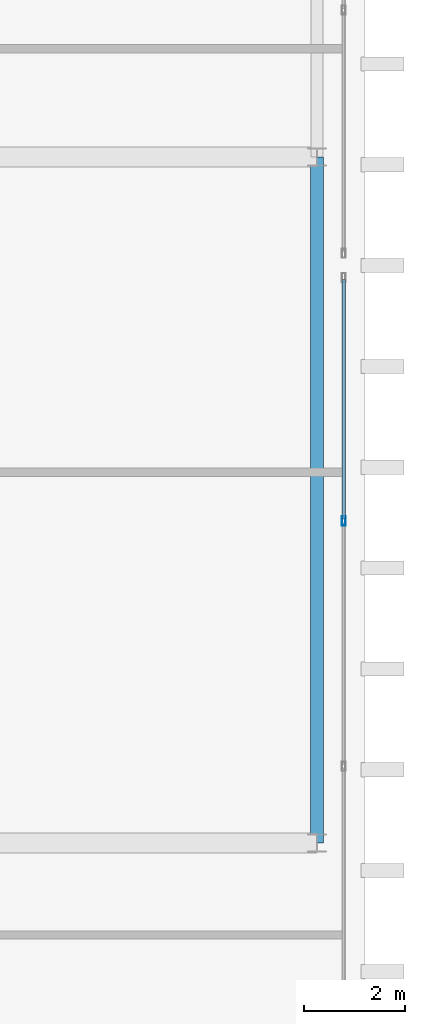
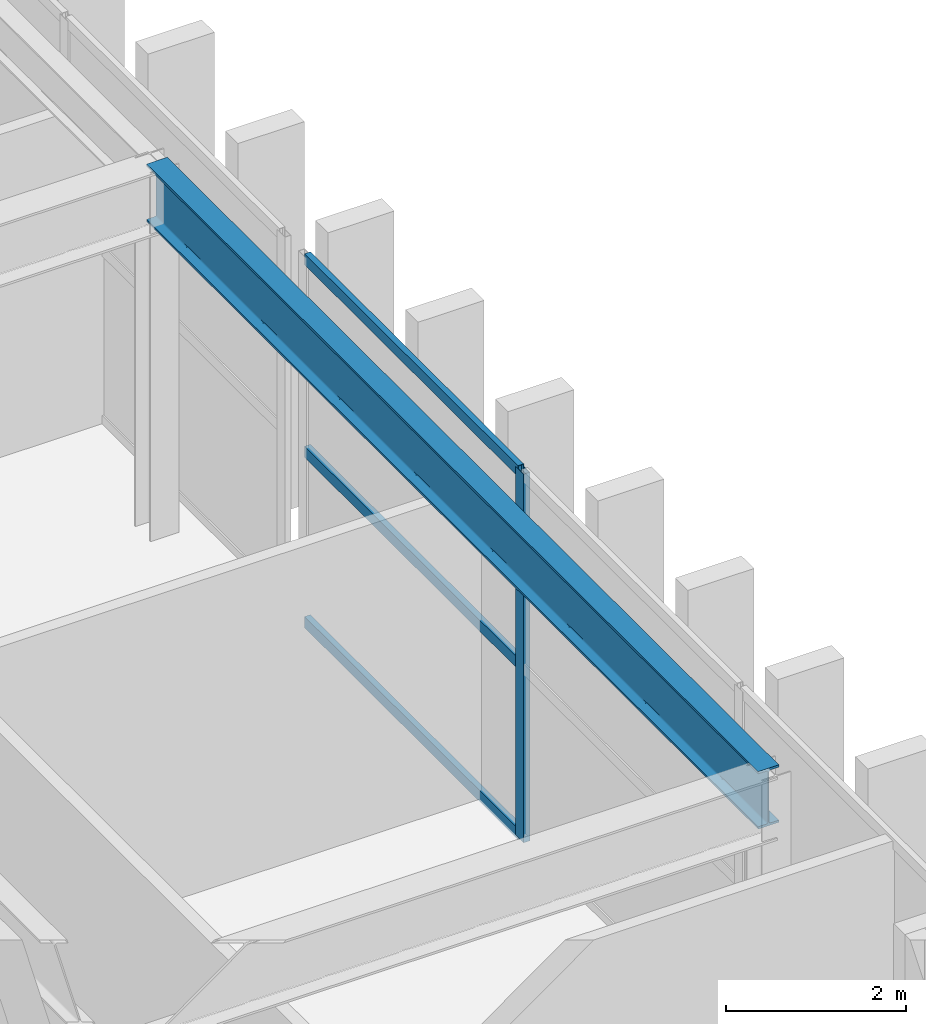
# One storey, part 5 of 14: 4 members, 1 beam, 1 element without a shape of its own.
"""IFC4 building model written with IfcOpenShell, lengths in metres."""

from ifc_helpers import new_model, si_unit, direction, frame, origin, origin_2d, place, context, subcontext, project, spatial, hollow_rectangle, i_section, extrude, source, transform, mapped, material, layer, layer_set, material_profile, profile_set, type_object, element, aggregate, save


model = new_model("IFC4")

# Units and contexts
model_context = context("Model", 3, precision=1e-05, world=origin(), true_north=direction((0.0, 1.0)))
body_context = subcontext(model_context, "Body", "Model", "MODEL_VIEW")
ifc_project = project(units=[si_unit("LENGTHUNIT", "METRE"), si_unit("AREAUNIT", "SQUARE_METRE"), si_unit("VOLUMEUNIT", "CUBIC_METRE"), si_unit("PLANEANGLEUNIT", "RADIAN"), si_unit("MASSUNIT", "GRAM", prefix="KILO")], contexts=[model_context])

# Site, building, storey
site_placement = place(None, origin())
site = spatial("IfcSite", under=ifc_project, at=site_placement, CompositionType="ELEMENT")
building_placement = place(site_placement, origin())
building = spatial("IfcBuilding", under=site, at=building_placement, Name="Ocotamira Hotel", CompositionType="ELEMENT")
storey_placement = place(building_placement, frame((0.0, 0.0, 309.60009765625)))
storey = spatial("IfcBuildingStorey", under=building, at=storey_placement, Name="L79", CompositionType="ELEMENT", Elevation=309.60009765625)

# Beam
ifc_material_1 = material(Name="Steel ASTM A992 Grade 50", Category="steel")
ifc_material_profile_1 = material_profile(ifc_material_1, i_section(OverallWidth=0.26611328125, OverallDepth=0.779052734375, WebThickness=0.0166015625, FlangeThickness=0.030029296875, FilletRadius=0.01806640625, at=origin_2d()), Name="W30X148")
ifc_profile_set_1 = profile_set([ifc_material_profile_1], Name="Steel ASTM A992 Grade 50")
beam_type = type_object("IfcBeamType", Name="BM-GIRD-W30X148", PredefinedType="BEAM", material=ifc_profile_set_1)
shared_shape_1 = source(origin(), body_context, "Body", "SweptSolid", [
    extrude(i_section(OverallWidth=0.26611328125, OverallDepth=0.779052734375, WebThickness=0.0166015625, FlangeThickness=0.030029296875, FilletRadius=0.01806640625, at=origin_2d()), origin(), (0.0, 0.0, 1.0), 13.599853515625),
])
beam_placement = place(storey_placement, frame((32.050048828125, 14.550048828125, 4.6103515625), z_axis=(0.0, 1.0, 0.0), x_axis=(-1.0, 0.0, 0.0)))
element("IfcBeam", 1, at=beam_placement, inside=storey, type_object=beam_type, Name="L79 Beam X32.05 Y14.55-28.15", PredefinedType="BEAM", context=body_context, shape_type="MappedRepresentation", body=[
    mapped(shared_shape_1, transform((0.0, 0.0, 0.0), scale=1.0)),
])

# Curtain wall, members
ifc_material_2 = material(Name="Anodised pale-metal aluminium and solar glass", Category="aluminium")
ifc_layer = layer(ifc_material_2, 0.2099609375)
ifc_layer_set = layer_set([ifc_layer], Name="Anodised pale-metal aluminium and solar glass")
curtain_wall_type = type_object("IfcCurtainWallType", Name="CW-SYS7-PEAK", PredefinedType="NOTDEFINED", material=ifc_layer_set)
curtain_wall_placement = place(storey_placement, origin())
curtain_wall = element("IfcCurtainWall", 2, at=curtain_wall_placement, inside=storey, type_object=curtain_wall_type, Name="L79 Curtain Wall CW-7 CW-L79-E1", PredefinedType="NOTDEFINED")
ifc_material_3 = material(Name="Anodised pale-metal aluminium 6063-T6", Category="aluminium")
ifc_material_profile_2 = material_profile(ifc_material_3, hollow_rectangle(XDim=0.074951171875, YDim=0.14990234375, WallThickness=0.006103515625, at=origin_2d()), Name="HSS150X75X6")
ifc_profile_set_2 = profile_set([ifc_material_profile_2], Name="Anodised pale-metal aluminium 6063-T6")
member_type_1 = type_object("IfcMemberType", Name="CWT-150X75", PredefinedType="USERDEFINED", material=ifc_profile_set_2)
shared_shape_2 = source(origin(), body_context, "Body", "SweptSolid", [
    extrude(hollow_rectangle(XDim=0.074951171875, YDim=0.14990234375, WallThickness=0.006103515625, at=origin_2d()), origin(), (0.0, 0.0, 1.0), 4.74658203125),
])
member_1_placement = place(storey_placement, frame((32.580078125, 20.973388671875, 0.037353515625), z_axis=(0.0, 1.0, 0.0), x_axis=(-1.0, 0.0, 0.0)))
member_1 = element("IfcMember", 3, at=member_1_placement, type_object=member_type_1, Name="CW-7 transom 3.1", ObjectType="TRANSOM", PredefinedType="USERDEFINED", context=body_context, shape_type="MappedRepresentation", body=[
    mapped(shared_shape_2, transform((0.0, 0.0, 0.0), scale=1.0)),
])
member_2_placement = place(storey_placement, frame((32.580078125, 20.973388671875, 2.349853515625), z_axis=(0.0, 1.0, 0.0), x_axis=(-1.0, 0.0, 0.0)))
member_2 = element("IfcMember", 4, at=member_2_placement, type_object=member_type_1, Name="CW-7 transom 3.2", ObjectType="TRANSOM", PredefinedType="USERDEFINED", context=body_context, shape_type="MappedRepresentation", body=[
    mapped(shared_shape_2, transform((0.0, 0.0, 0.0), scale=1.0)),
])
member_3_placement = place(storey_placement, frame((32.580078125, 20.973388671875, 4.96240234375), z_axis=(0.0, 1.0, 0.0), x_axis=(-1.0, 0.0, 0.0)))
member_3 = element("IfcMember", 5, at=member_3_placement, type_object=member_type_1, Name="CW-7 transom 3.3", ObjectType="TRANSOM", PredefinedType="USERDEFINED", context=body_context, shape_type="MappedRepresentation", body=[
    mapped(shared_shape_2, transform((0.0, 0.0, 0.0), scale=1.0)),
])
ifc_material_profile_3 = material_profile(ifc_material_3, hollow_rectangle(XDim=0.080078125, YDim=0.179931640625, WallThickness=0.006103515625, at=origin_2d()), Name="HSS180X80X6")
ifc_profile_set_3 = profile_set([ifc_material_profile_3], Name="Anodised pale-metal aluminium 6063-T6")
member_type_2 = type_object("IfcMemberType", Name="CWM-180X75", PredefinedType="MULLION", material=ifc_profile_set_3)
shared_shape_3 = source(origin(), body_context, "Body", "SweptSolid", [
    extrude(hollow_rectangle(XDim=0.080078125, YDim=0.179931640625, WallThickness=0.006103515625, at=origin_2d()), origin(), (0.0, 0.0, 1.0), 5.0),
])
member_4_placement = place(storey_placement, frame((32.580078125, 20.933349609375, 0.0), z_axis=(0.0, 0.0, 1.0), x_axis=(-1.0, 0.0, 0.0)))
member_4 = element("IfcMember", 6, at=member_4_placement, type_object=member_type_2, Name="CW-7 mullion 3", PredefinedType="MULLION", context=body_context, shape_type="MappedRepresentation", body=[
    mapped(shared_shape_3, transform((0.0, 0.0, 0.0), scale=1.0)),
])
aggregate(curtain_wall, [member_4, member_1, member_2, member_3])

save(model, "model.ifc")
